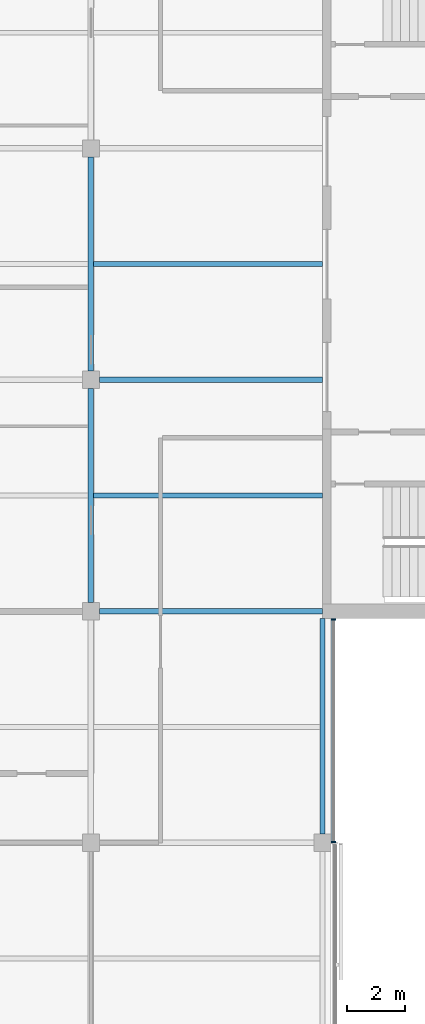
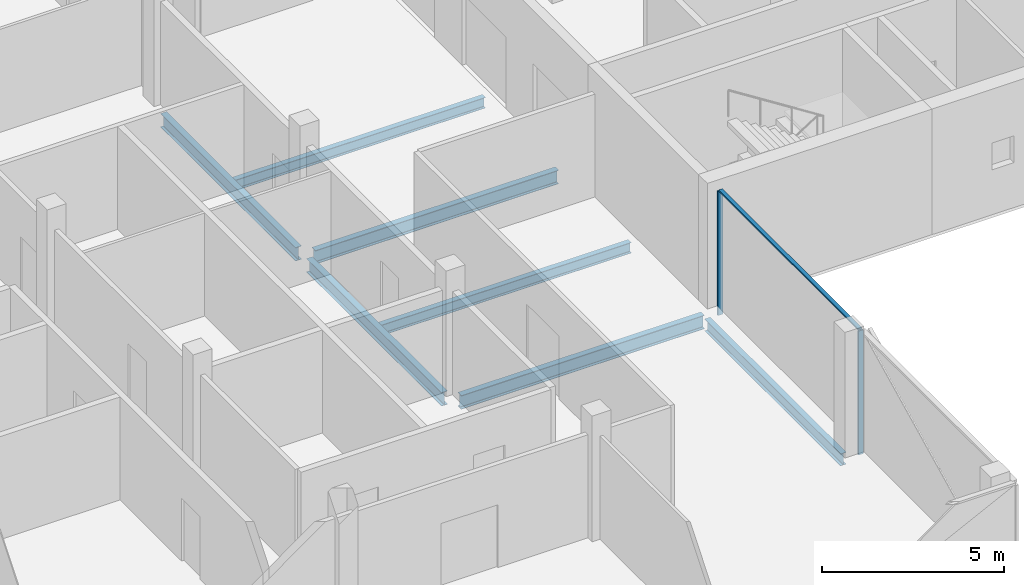
# One storey, part 4 of 15: 7 beams, 3 members, 1 element without a shape of its own.
"""IFC4 building model written with IfcOpenShell, lengths in metres."""

import ifcopenshell
import ifcopenshell.guid

model = None  # the IFC model being written
_history = None  # IfcOwnerHistory: only IFC2X3 demands one
_inside = {}  # id of a spatial element -> (the spatial element, [elements in it])
_under = {}  # id of a project, library or spatial element -> (it, [spatial elements below it])
_declared = {}  # id of a project -> (the project, [libraries it declares])
_typed = {}  # id of a type object -> (the type object, [elements of that type])
_made_of = {}  # id of a material, layer set ... -> (it, [elements and type objects made of it])


def new_model(schema):
    """Start an empty IFC model of exactly this schema.

    Asked for "IFC4X3", IfcOpenShell would pick the latest addendum, in which some entities
    have other attributes; the version numbers below select the first issue.
    IFC2X3 requires an IfcOwnerHistory on every rooted entity: one is made here for all.
    """
    global model, _history
    if schema == "IFC4X3":
        model = ifcopenshell.file(schema_version=(4, 3, 0, 0))
    else:
        model = ifcopenshell.file(schema=schema)
    _inside.clear()
    _under.clear()
    _declared.clear()
    _typed.clear()
    _made_of.clear()
    _history = None
    if model.schema == "IFC2X3":
        org = make("IfcOrganization", Name="unknown")
        user = make(
            "IfcPersonAndOrganization",
            ThePerson=make("IfcPerson", FamilyName="unknown"),
            TheOrganization=org,
        )
        app = make(
            "IfcApplication",
            ApplicationDeveloper=org,
            Version="unknown",
            ApplicationFullName="unknown",
            ApplicationIdentifier="unknown",
        )
        _history = make(
            "IfcOwnerHistory",
            OwningUser=user,
            OwningApplication=app,
            ChangeAction="ADDED",
            CreationDate=0,
        )
    return model


def make(cls, **values):
    """One entity of the class cls with the attributes given. An attribute that is None is left unset."""
    return model.create_entity(
        cls, **{name: value for name, value in values.items() if value is not None}
    )


def rooted(cls, **values):
    """An entity with a GlobalId (a new one), such as an element, a storey or a relation."""
    return make(cls, GlobalId=ifcopenshell.guid.new(), OwnerHistory=_history, **values)


def si_unit(unit_type, name, prefix=None):
    """IfcSIUnit, for example si_unit("LENGTHUNIT", "METRE", prefix="MILLI")."""
    return make("IfcSIUnit", UnitType=unit_type, Prefix=prefix, Name=name)


def assignment(units):
    """IfcUnitAssignment: the units of a project."""
    return None if units is None else make("IfcUnitAssignment", Units=units)


def point(xyz):
    """IfcCartesianPoint."""
    return None if xyz is None else make("IfcCartesianPoint", Coordinates=xyz)


def direction(xyz):
    """IfcDirection."""
    return None if xyz is None else make("IfcDirection", DirectionRatios=xyz)


def frame(location, z_axis=None, x_axis=None):
    """IfcAxis2Placement3D, a coordinate frame: its origin and axes. An axis left out is left unset."""
    return make(
        "IfcAxis2Placement3D",
        Location=point(location),
        Axis=direction(z_axis),
        RefDirection=direction(x_axis),
    )


def frame_2d(location, x_axis=None):
    """IfcAxis2Placement2D, a coordinate frame in the plane: its origin and x axis."""
    return make(
        "IfcAxis2Placement2D", Location=point(location), RefDirection=direction(x_axis)
    )


def origin():
    """The frame at (0, 0, 0) with its axes left unset."""
    return frame((0.0, 0.0, 0.0))


def origin_2d():
    """The frame at (0, 0) in the plane with its x axis left unset."""
    return frame_2d((0.0, 0.0))


def place(relative_to, where):
    """IfcLocalPlacement: puts the frame where relative to a parent placement (None: the world)."""
    return make(
        "IfcLocalPlacement", PlacementRelTo=relative_to, RelativePlacement=where
    )


def context(
    kind, dimensions, precision=None, world=None, true_north=None, identifier=None
):
    """IfcGeometricRepresentationContext, for example the 3D "Model" context."""
    return make(
        "IfcGeometricRepresentationContext",
        ContextIdentifier=identifier,
        ContextType=kind,
        CoordinateSpaceDimension=dimensions,
        Precision=precision,
        WorldCoordinateSystem=world,
        TrueNorth=true_north,
    )


def subcontext(parent, identifier, kind, view, scale=None):
    """IfcGeometricRepresentationSubContext, for example "Body" below "Model"."""
    return make(
        "IfcGeometricRepresentationSubContext",
        ContextIdentifier=identifier,
        ContextType=kind,
        ParentContext=parent,
        TargetScale=scale,
        TargetView=view,
    )


def project(units=None, contexts=None):
    """IfcProject with its units and contexts."""
    return rooted(
        "IfcProject",
        Name="project",
        RepresentationContexts=contexts,
        UnitsInContext=assignment(units),
    )


def spatial(cls, under=None, at=None, **own):
    """A site, building, storey or space (cls), placed at a placement, below another one or the project."""
    s = rooted(cls, ObjectPlacement=at, **own)
    if under is not None:
        _under.setdefault(under.id(), (under, []))[1].append(s)
    return s


def profile(cls, at=None, kind="AREA", **sizes):
    """A parametric profile (cls). Its sizes go by their IFC names, for example OverallWidth=200.0."""
    return make(cls, ProfileType=kind, Position=at, **sizes)


def rectangle(**sizes):
    """IfcRectangleProfileDef."""
    return profile("IfcRectangleProfileDef", **sizes)


def i_section(**sizes):
    """IfcIShapeProfileDef."""
    return profile("IfcIShapeProfileDef", **sizes)


def extrude(swept, where, along, depth):
    """IfcExtrudedAreaSolid: the profile swept, set in the frame where, extruded along a direction by depth."""
    return make(
        "IfcExtrudedAreaSolid",
        SweptArea=swept,
        Position=where,
        ExtrudedDirection=direction(along),
        Depth=depth,
    )


def shape(context_of_items, identifier, shape_type, items):
    """IfcShapeRepresentation: the items that make up one representation, for example the "Body"."""
    return make(
        "IfcShapeRepresentation",
        ContextOfItems=context_of_items,
        RepresentationIdentifier=identifier,
        RepresentationType=shape_type,
        Items=items,
    )


def material(Name=None, Category=None):
    """IfcMaterial."""
    return make("IfcMaterial", Name=Name, Category=Category)


def material_profile(
    of_material, cross_section, Name=None, Category=None, Priority=None
):
    """IfcMaterialProfile: a cross section and its material."""
    return make(
        "IfcMaterialProfile",
        Name=Name,
        Material=of_material,
        Profile=cross_section,
        Priority=Priority,
        Category=Category,
    )


def profile_set(profiles, Name=None, composite=None):
    """IfcMaterialProfileSet."""
    return make(
        "IfcMaterialProfileSet",
        Name=Name,
        MaterialProfiles=profiles,
        CompositeProfile=composite,
    )


def made_of(thing, what):
    """Note that an element or type object is made of a material, layer set ...; save() writes the relation."""
    if what is not None:
        _made_of.setdefault(what.id(), (what, []))[1].append(thing)
    return thing


def type_object(cls, material=None, **own):
    """A type object (cls), such as IfcWallType, which elements share."""
    return made_of(rooted(cls, **own), material)


def element(
    cls,
    number,
    at=None,
    inside=None,
    cuts=None,
    type_object=None,
    material=None,
    context=None,
    identifier="Body",
    shape_type=None,
    held_by="IfcProductDefinitionShape",
    body=None,
    shapes=None,
    **own,
):
    """One element of the class cls, such as IfcWall. Its Tag is "e" and its number.

    at: its placement. inside: the storey or other place that contains it. cuts: it is an
    opening in that element (IfcRelVoidsElement). A single representation is given by context,
    identifier, shape_type and body (its items); several are given by shapes. held_by: the class
    of the entity that holds the representations. save() writes the other relations.
    """
    e = rooted(cls, Tag="e%d" % number, ObjectPlacement=at, **own)
    if body is not None:
        shapes = [shape(context, identifier, shape_type, body)]
    if shapes is not None:
        e.Representation = make(held_by, Representations=shapes)
    if inside is not None:
        _inside.setdefault(inside.id(), (inside, []))[1].append(e)
    if cuts is not None:
        rooted(
            "IfcRelVoidsElement", RelatingBuildingElement=cuts, RelatedOpeningElement=e
        )
    if type_object is not None:
        _typed.setdefault(type_object.id(), (type_object, []))[1].append(e)
    return made_of(e, material)


def aggregate(whole, parts):
    """IfcRelAggregates: a whole, such as a stair, and the parts it consists of."""
    return rooted("IfcRelAggregates", RelatingObject=whole, RelatedObjects=parts)


def save(model, path):
    """Write the relations noted so far, then the file.

    IfcRelAggregates (storeys below a building ...), IfcRelContainedInSpatialStructure (elements
    in a storey), IfcRelDefinesByType, IfcRelAssociatesMaterial and IfcRelDeclares: one each for
    every whole, place, type object, material and project.
    """
    for whole, parts in _under.values():
        aggregate(whole, parts)
    for where, things in _inside.values():
        rooted(
            "IfcRelContainedInSpatialStructure",
            RelatedElements=things,
            RelatingStructure=where,
        )
    for kind, things in _typed.values():
        rooted("IfcRelDefinesByType", RelatedObjects=things, RelatingType=kind)
    for what, things in _made_of.values():
        rooted("IfcRelAssociatesMaterial", RelatedObjects=things, RelatingMaterial=what)
    for by, libraries in _declared.values():
        rooted("IfcRelDeclares", RelatingContext=by, RelatedDefinitions=libraries)
    model.write(path)


model = new_model("IFC4")

# Units and contexts
model_context = context("Model", 3, precision=1e-05, world=origin(), true_north=direction((0.0, 1.0)))
body_context = subcontext(model_context, "Body", "Model", "MODEL_VIEW")
ifc_project = project(units=[si_unit("LENGTHUNIT", "METRE"), si_unit("AREAUNIT", "SQUARE_METRE"), si_unit("VOLUMEUNIT", "CUBIC_METRE"), si_unit("PLANEANGLEUNIT", "RADIAN"), si_unit("MASSUNIT", "GRAM", prefix="KILO")], contexts=[model_context])

# Site, building, storey
site_placement = place(None, origin())
site = spatial("IfcSite", under=ifc_project, at=site_placement, CompositionType="ELEMENT")
building_placement = place(site_placement, origin())
building = spatial("IfcBuilding", under=site, at=building_placement, Name="Crosswind Convention Tower", CompositionType="ELEMENT")
storey_placement = place(building_placement, frame((0.0, 0.0, 315.5)))
storey = spatial("IfcBuildingStorey", under=building, at=storey_placement, Name="L68", CompositionType="ELEMENT", Elevation=315.5)

# Beams
ifc_material_1 = material(Name="Steel S355", Category="steel")
ifc_material_profile_1 = material_profile(ifc_material_1, i_section(OverallWidth=0.177734375, OverallDepth=0.406494140625, WebThickness=0.0078125, FlangeThickness=0.0126953125, FilletRadius=0.01025390625, at=origin_2d()), Name="UB 406x178x60")
ifc_profile_set_1 = profile_set([ifc_material_profile_1], Name="Steel S355")
beam_type_1 = type_object("IfcBeamType", Name="Edge beam UB 406x178x60", PredefinedType="SPANDREL", material=ifc_profile_set_1)
beam_placement = place(storey_placement, frame((137.0, 80.300048828125, -0.503173828125), z_axis=(0.0, 1.0, 0.0), x_axis=(-1.0, 0.0, 0.0)))
element("IfcBeam", 1, at=beam_placement, inside=storey, type_object=beam_type_1, Name="B15 L68 edge beam 12", PredefinedType="SPANDREL", context=body_context, shape_type="SweptSolid", body=[
    extrude(i_section(OverallWidth=0.177734375, OverallDepth=0.406494140625, WebThickness=0.0078125, FlangeThickness=0.0126953125, FilletRadius=0.01025390625, at=origin_2d()), origin(), (0.0, 0.0, 1.0), 7.449951171875),
])
ifc_material_profile_2 = material_profile(ifc_material_1, i_section(OverallWidth=0.18994140625, OverallDepth=0.45361328125, WebThickness=0.008544921875, FlangeThickness=0.0126953125, FilletRadius=0.01025390625, at=origin_2d()), Name="UB 457x191x67")
ifc_profile_set_2 = profile_set([ifc_material_profile_2], Name="Steel S355")
beam_type_2 = type_object("IfcBeamType", Name="Girder UB 457x191x67", PredefinedType="BEAM", material=ifc_profile_set_2)
for number, where, z_axis, x_axis, name in (
    (2, (129.0, 88.300048828125, -0.52685546875), (0.0, 1.0, 0.0), (-1.0, 0.0, 0.0), "B1 L68 girder 18"),
    (3, (129.0, 96.300048828125, -0.52685546875), (0.0, 1.0, 0.0), (-1.0, 0.0, 0.0), "B1 L68 girder 19"),
):
    element("IfcBeam", number, at=place(storey_placement, frame(where, z_axis=z_axis, x_axis=x_axis)), inside=storey, type_object=beam_type_2, Name=name, PredefinedType="BEAM", context=body_context, shape_type="SweptSolid", body=[
        extrude(i_section(OverallWidth=0.18994140625, OverallDepth=0.45361328125, WebThickness=0.008544921875, FlangeThickness=0.0126953125, FilletRadius=0.01025390625, at=origin_2d()), origin(), (0.0, 0.0, 1.0), 7.39990234375),
    ])
ifc_material_profile_3 = material_profile(ifc_material_1, i_section(OverallWidth=0.1904296875, OverallDepth=0.457275390625, WebThickness=0.009033203125, FlangeThickness=0.014404296875, FilletRadius=0.01025390625, at=origin_2d()), Name="UB 457x191x75")
ifc_profile_set_3 = profile_set([ifc_material_profile_3], Name="Steel S355")
beam_type_3 = type_object("IfcBeamType", Name="Girder at core wall UB 457x191x75", PredefinedType="BEAM", material=ifc_profile_set_3)
for number, where, z_axis, x_axis, name in (
    (4, (129.300048828125, 88.0, -0.528564453125), (1.0, 0.0, 0.0), (0.0, 1.0, 0.0), "B22 L68 girder at core wall 5"),
    (5, (129.300048828125, 96.0, -0.528564453125), (1.0, 0.0, 0.0), (0.0, 1.0, 0.0), "B22 L68 girder at core wall 6"),
):
    element("IfcBeam", number, at=place(storey_placement, frame(where, z_axis=z_axis, x_axis=x_axis)), inside=storey, type_object=beam_type_3, Name=name, PredefinedType="BEAM", context=body_context, shape_type="SweptSolid", body=[
        extrude(i_section(OverallWidth=0.1904296875, OverallDepth=0.457275390625, WebThickness=0.009033203125, FlangeThickness=0.014404296875, FilletRadius=0.01025390625, at=origin_2d()), origin(), (0.0, 0.0, 1.0), 7.699951171875),
    ])

# Curtain wall, members
ifc_material_2 = material(Name="Aluminium unitised curtain wall", Category="aluminium")
curtain_wall_type = type_object("IfcCurtainWallType", Name="CORE END SLOT WALL 160", PredefinedType="USERDEFINED", material=ifc_material_2)
curtain_wall_placement = place(storey_placement, origin())
curtain_wall = element("IfcCurtainWall", 6, at=curtain_wall_placement, inside=storey, type_object=curtain_wall_type, Name="CW6 L68 S-E.1-2 slot", ObjectType="UNITISED", PredefinedType="USERDEFINED")
ifc_material_3 = material(Name="Aluminium mullion", Category="aluminium")
ifc_material_profile_4 = material_profile(ifc_material_3, rectangle(XDim=0.159912109375, YDim=0.050048828125, at=origin_2d()), Name="AL 160X50")
ifc_profile_set_4 = profile_set([ifc_material_profile_4], Name="Aluminium mullion")
member_type_1 = type_object("IfcMemberType", Name="MULLION 50X160", PredefinedType="MULLION", material=ifc_profile_set_4)
member_1_placement = place(storey_placement, frame((137.3798828125, 80.02490234375, -0.300048828125), z_axis=(0.0, 0.0, 1.0), x_axis=(1.0, 0.0, 0.0)))
member_1 = element("IfcMember", 7, at=member_1_placement, type_object=member_type_1, Name="CW6 mullion 1", PredefinedType="MULLION", context=body_context, shape_type="SweptSolid", body=[
    extrude(rectangle(XDim=0.159912109375, YDim=0.050048828125, at=origin_2d()), origin(), (0.0, 0.0, 1.0), 4.150146484375),
])
member_2_placement = place(storey_placement, frame((137.3798828125, 87.72509765625, -0.300048828125), z_axis=(0.0, 0.0, 1.0), x_axis=(1.0, 0.0, 0.0)))
member_2 = element("IfcMember", 8, at=member_2_placement, type_object=member_type_1, Name="CW6 mullion 2", PredefinedType="MULLION", context=body_context, shape_type="SweptSolid", body=[
    extrude(rectangle(XDim=0.159912109375, YDim=0.050048828125, at=origin_2d()), origin(), (0.0, 0.0, 1.0), 4.150146484375),
])

# Beams
ifc_material_profile_5 = material_profile(ifc_material_1, i_section(OverallWidth=0.17138671875, OverallDepth=0.355712890625, WebThickness=0.00732421875, FlangeThickness=0.011474609375, FilletRadius=0.01025390625, at=origin_2d()), Name="UB 356x171x51")
ifc_profile_set_5 = profile_set([ifc_material_profile_5], Name="Steel S355")
beam_type_4 = type_object("IfcBeamType", Name="Secondary beam UB 356x171x51", PredefinedType="JOIST", material=ifc_profile_set_5)
for number, where, z_axis, x_axis, name in (
    (9, (129.094970703125, 92.0, -0.477783203125), (1.0, 0.0, 0.0), (0.0, 1.0, 0.0), "B8 L68 secondary beam 17"),
    (10, (129.094970703125, 100.0, -0.477783203125), (1.0, 0.0, 0.0), (0.0, 1.0, 0.0), "B8 L68 secondary beam 18"),
):
    element("IfcBeam", number, at=place(storey_placement, frame(where, z_axis=z_axis, x_axis=x_axis)), inside=storey, type_object=beam_type_4, Name=name, PredefinedType="JOIST", context=body_context, shape_type="SweptSolid", body=[
        extrude(i_section(OverallWidth=0.17138671875, OverallDepth=0.355712890625, WebThickness=0.00732421875, FlangeThickness=0.011474609375, FilletRadius=0.01025390625, at=origin_2d()), origin(), (0.0, 0.0, 1.0), 7.905029296875),
    ])

# Member
ifc_material_4 = material(Name="Aluminium transom", Category="aluminium")
ifc_material_profile_6 = material_profile(ifc_material_4, rectangle(XDim=0.1201171875, YDim=0.050048828125, at=origin_2d()), Name="AL 120X50")
ifc_profile_set_6 = profile_set([ifc_material_profile_6], Name="Aluminium transom")
member_type_2 = type_object("IfcMemberType", Name="TRANSOM 50X120", PredefinedType="USERDEFINED", material=ifc_profile_set_6)
member_3_placement = place(storey_placement, frame((137.3798828125, 80.050048828125, 3.875), z_axis=(0.0, 1.0, 0.0), x_axis=(-1.0, 0.0, 0.0)))
member_3 = element("IfcMember", 11, at=member_3_placement, type_object=member_type_2, Name="CW6 transom", ObjectType="TRANSOM", PredefinedType="USERDEFINED", context=body_context, shape_type="SweptSolid", body=[
    extrude(rectangle(XDim=0.1201171875, YDim=0.050048828125, at=origin_2d()), origin(), (0.0, 0.0, 1.0), 7.64990234375),
])

aggregate(curtain_wall, [member_1, member_2, member_3])

save(model, "model.ifc")
